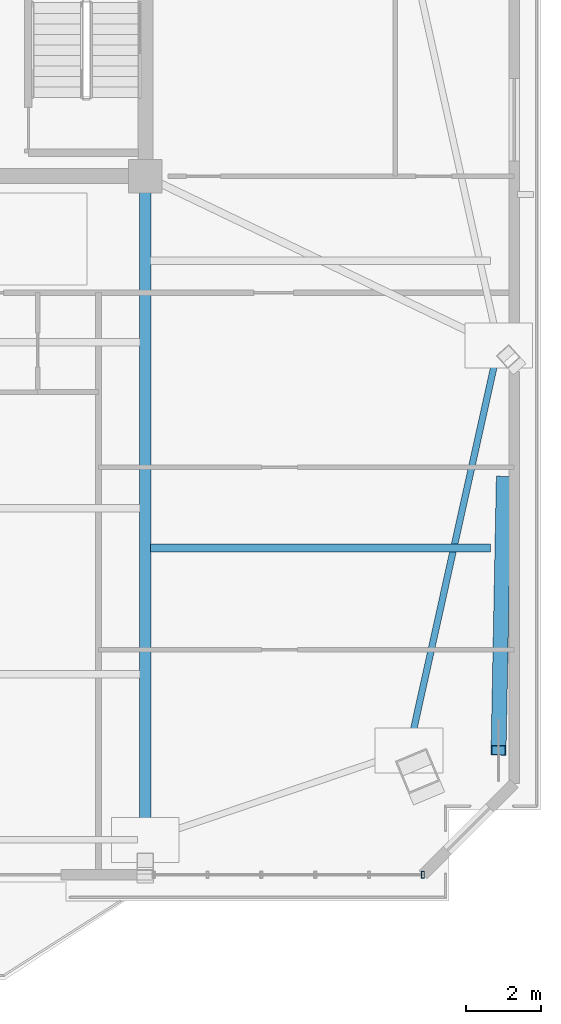
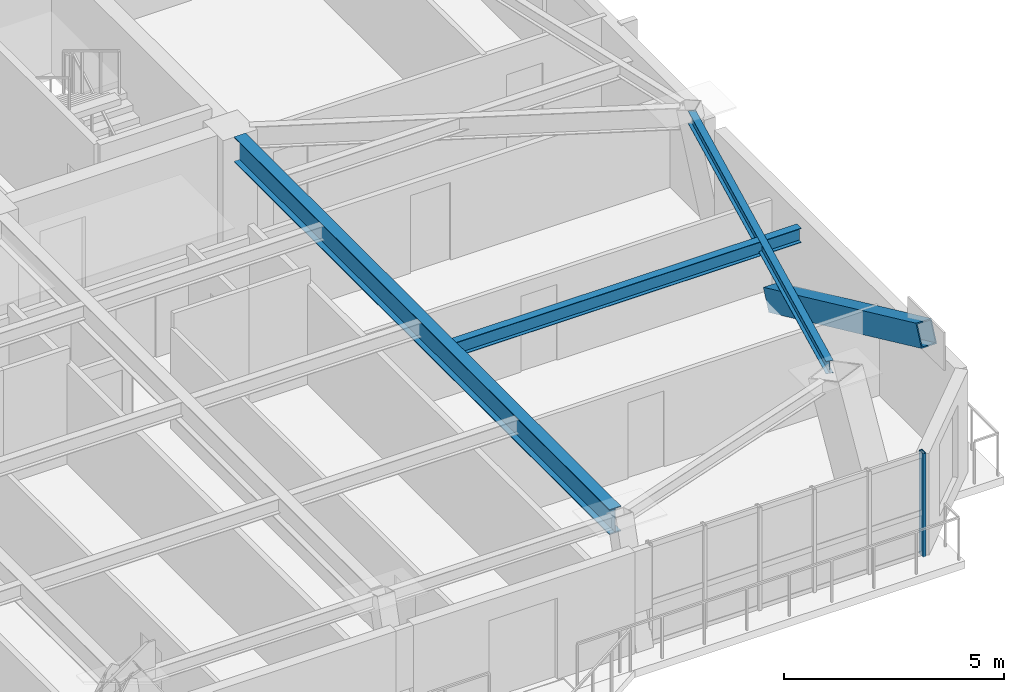
# One storey, part 5 of 15: 3 beams, 2 members, 1 element without a shape of its own.
"""IFC4 building model written with IfcOpenShell, lengths in metres."""

from ifc_helpers import new_model, si_unit, direction, frame, origin, origin_2d, place, context, subcontext, project, spatial, hollow_rectangle, i_section, extrude, source, transform, mapped, material, layer, layer_set, material_profile, profile_set, type_object, element, aggregate, save


model = new_model("IFC4")

# Units and contexts
model_context = context("Model", 3, precision=1e-05, world=origin(), true_north=direction((0.0, 1.0)))
body_context = subcontext(model_context, "Body", "Model", "MODEL_VIEW")
ifc_project = project(units=[si_unit("LENGTHUNIT", "METRE"), si_unit("AREAUNIT", "SQUARE_METRE"), si_unit("VOLUMEUNIT", "CUBIC_METRE"), si_unit("PLANEANGLEUNIT", "RADIAN"), si_unit("MASSUNIT", "GRAM", prefix="KILO")], contexts=[model_context])

# Site, building, storey
site_placement = place(None, origin())
site = spatial("IfcSite", under=ifc_project, at=site_placement, CompositionType="ELEMENT")
building_placement = place(site_placement, origin())
building = spatial("IfcBuilding", under=site, at=building_placement, Name="Giltprow Tower", CompositionType="ELEMENT")
storey_placement = place(building_placement, frame((0.0, 0.0, 300.60009765625)))
storey = spatial("IfcBuildingStorey", under=building, at=storey_placement, Name="L77", CompositionType="ELEMENT", Elevation=300.60009765625)

# Beams
ifc_material_1 = material(Name="Structural steel Q355B", Category="steel")
ifc_material_profile_1 = material_profile(ifc_material_1, i_section(OverallWidth=0.175048828125, OverallDepth=0.35009765625, WebThickness=0.007080078125, FlangeThickness=0.010986328125, at=origin_2d()), Name="HN 350x175x7x11")
ifc_profile_set_1 = profile_set([ifc_material_profile_1], Name="Structural steel Q355B")
beam_type_1 = type_object("IfcBeamType", Name="BM-SPAN-HN350", PredefinedType="SPANDREL", material=ifc_profile_set_1)
shared_shape_1 = source(origin(), body_context, "Body", "SweptSolid", [
    extrude(i_section(OverallWidth=0.175048828125, OverallDepth=0.35009765625, WebThickness=0.007080078125, FlangeThickness=0.010986328125, at=origin_2d()), origin(), (0.0, 0.0, 1.0), 10.39453125),
])
beam_1_placement = place(storey_placement, frame((57.6689453125, 22.58203125, 3.010009765625), z_axis=(0.216084827118, 0.976374593836, 0.0), x_axis=(-0.976374593836, 0.216084827118, 0.0)))
element("IfcBeam", 1, at=beam_1_placement, inside=storey, type_object=beam_type_1, Name="L77 Perimeter Spandrel Beam MC_SE-E_MID", PredefinedType="SPANDREL", context=body_context, shape_type="MappedRepresentation", body=[
    mapped(shared_shape_1, transform((0.0, 0.0, 0.0), x_axis=(1.0, 0.0, 0.0), y_axis=(0.0, 1.0, 0.0), z_axis=(0.0, 0.0, 1.0), scale=1.0)),
])
ifc_material_profile_2 = material_profile(ifc_material_1, i_section(OverallWidth=0.300048828125, OverallDepth=0.699951171875, WebThickness=0.012939453125, FlangeThickness=0.02392578125, at=origin_2d()), Name="HN 700x300x13x24")
ifc_profile_set_2 = profile_set([ifc_material_profile_2], Name="Structural steel Q355B")
beam_type_2 = type_object("IfcBeamType", Name="BM-GIRD-HN700", PredefinedType="BEAM", material=ifc_profile_set_2)
shared_shape_2 = source(origin(), body_context, "Body", "SweptSolid", [
    extrude(i_section(OverallWidth=0.300048828125, OverallDepth=0.699951171875, WebThickness=0.012939453125, FlangeThickness=0.02392578125, at=origin_2d()), origin(), (0.0, 0.0, 1.0), 17.032958984375),
])
beam_2_placement = place(storey_placement, frame((50.550048828125, 19.98193359375, 2.8349609375), z_axis=(0.0, 1.0, 0.0), x_axis=(-1.0, 0.0, 0.0)))
element("IfcBeam", 2, at=beam_2_placement, inside=storey, type_object=beam_type_2, Name="L77 Primary Lease Girder S4", PredefinedType="BEAM", context=body_context, shape_type="MappedRepresentation", body=[
    mapped(shared_shape_2, transform((0.0, 0.0, 0.0), x_axis=(1.0, 0.0, 0.0), y_axis=(0.0, 1.0, 0.0), z_axis=(0.0, 0.0, 1.0), scale=1.0)),
])
ifc_material_profile_3 = material_profile(ifc_material_1, i_section(OverallWidth=0.199951171875, OverallDepth=0.39990234375, WebThickness=0.008056640625, FlangeThickness=0.012939453125, at=origin_2d()), Name="HN 400x200x8x13")
ifc_profile_set_3 = profile_set([ifc_material_profile_3], Name="Structural steel Q355B")
beam_type_3 = type_object("IfcBeamType", Name="BM-JOIST-HN400", PredefinedType="JOIST", material=ifc_profile_set_3)
shared_shape_3 = source(origin(), body_context, "Body", "SweptSolid", [
    extrude(i_section(OverallWidth=0.199951171875, OverallDepth=0.39990234375, WebThickness=0.008056640625, FlangeThickness=0.012939453125, at=origin_2d()), origin(), (0.0, 0.0, 1.0), 9.044921875),
])
beam_3_placement = place(storey_placement, frame((50.695068359375, 27.547119140625, 2.98486328125), z_axis=(1.0, 0.0, 0.0), x_axis=(0.0, 1.0, 0.0)))
element("IfcBeam", 3, at=beam_3_placement, inside=storey, type_object=beam_type_3, Name="L77 East Wing Floor Joist 1", PredefinedType="JOIST", context=body_context, shape_type="MappedRepresentation", body=[
    mapped(shared_shape_3, transform((0.0, 0.0, 0.0), x_axis=(1.0, 0.0, 0.0), y_axis=(0.0, 1.0, 0.0), z_axis=(0.0, 0.0, 1.0), scale=1.0)),
])

# Member
ifc_material_2 = material(Name="Structural steel Q420GJC", Category="steel")
ifc_material_profile_4 = material_profile(ifc_material_2, hollow_rectangle(XDim=0.39990234375, YDim=0.60009765625, WallThickness=0.028076171875, at=origin_2d()), Name="RHS 600x400x28")
ifc_profile_set_4 = profile_set([ifc_material_profile_4], Name="Structural steel Q420GJC")
member_type_1 = type_object("IfcMemberType", Name="MBR-MEGA-RHS600", PredefinedType="BRACE", material=ifc_profile_set_4)
shared_shape_4 = source(origin(), body_context, "Body", "SweptSolid", [
    extrude(hollow_rectangle(XDim=0.39990234375, YDim=0.60009765625, WallThickness=0.028076171875, at=origin_2d()), origin(), (0.0, 0.0, 1.0), 7.937255859375),
])
member_1_placement = place(storey_placement, frame((60.09912109375, 29.327880859375, 0.0), z_axis=(-0.017532464096, -0.903444799007, 0.428345780708), x_axis=(0.999811752147, -0.01940258405, 0.0)))
element("IfcMember", 4, at=member_1_placement, inside=storey, type_object=member_type_1, Name="L77 Chevron Mega-Brace E-D", PredefinedType="BRACE", context=body_context, shape_type="MappedRepresentation", body=[
    mapped(shared_shape_4, transform((0.0, 0.0, 0.0), x_axis=(1.0, 0.0, 0.0), y_axis=(0.0, 1.0, 0.0), z_axis=(0.0, 0.0, 1.0), scale=1.0)),
])

# Curtain wall, member
ifc_material_3 = material(Name="Anodized bronze", Category="metal")
ifc_layer = layer(ifc_material_3, 0.179931640625, Name="Anodized bronze")
ifc_layer_set = layer_set([ifc_layer], Name="Anodized bronze")
curtain_wall_type = type_object("IfcCurtainWallType", Name="CW-RES-SKY", PredefinedType="NOTDEFINED", material=ifc_layer_set)
curtain_wall_placement = place(storey_placement, origin())
curtain_wall = element("IfcCurtainWall", 5, at=curtain_wall_placement, inside=storey, type_object=curtain_wall_type, Name="L77 South Recessed Curtain Wall 6", PredefinedType="NOTDEFINED")
ifc_material_profile_5 = material_profile(ifc_material_3, hollow_rectangle(XDim=0.074951171875, YDim=0.179931640625, WallThickness=0.008056640625, at=origin_2d()), Name="RHS 180x75x8")
ifc_profile_set_5 = profile_set([ifc_material_profile_5], Name="Anodized bronze")
member_type_2 = type_object("IfcMemberType", Name="CW-MULLION-180x75", PredefinedType="MULLION", material=ifc_profile_set_5)
shared_shape_5 = source(origin(), body_context, "Body", "SweptSolid", [
    extrude(hollow_rectangle(XDim=0.074951171875, YDim=0.179931640625, WallThickness=0.008056640625, at=origin_2d()), origin(), (0.0, 0.0, 1.0), 2.869873046875),
])
member_2_placement = place(storey_placement, frame((57.945068359375, 18.841064453125, -0.02001953125), z_axis=(0.0, 0.0, 1.0), x_axis=(1.0, 0.0, 0.0)))
member_2 = element("IfcMember", 6, at=member_2_placement, type_object=member_type_2, Name="L77 South Recessed Curtain Wall 6 Mullion 6", PredefinedType="MULLION", context=body_context, shape_type="MappedRepresentation", body=[
    mapped(shared_shape_5, transform((0.0, 0.0, 0.0), x_axis=(1.0, 0.0, 0.0), y_axis=(0.0, 1.0, 0.0), z_axis=(0.0, 0.0, 1.0), scale=1.0)),
])
aggregate(curtain_wall, [member_2])

save(model, "model.ifc")
